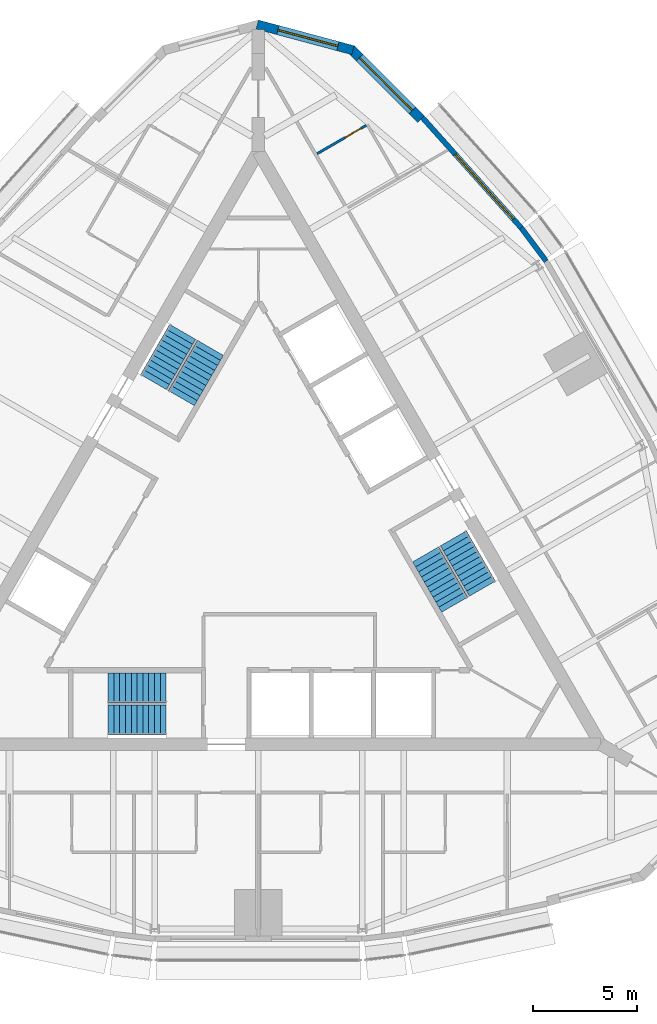
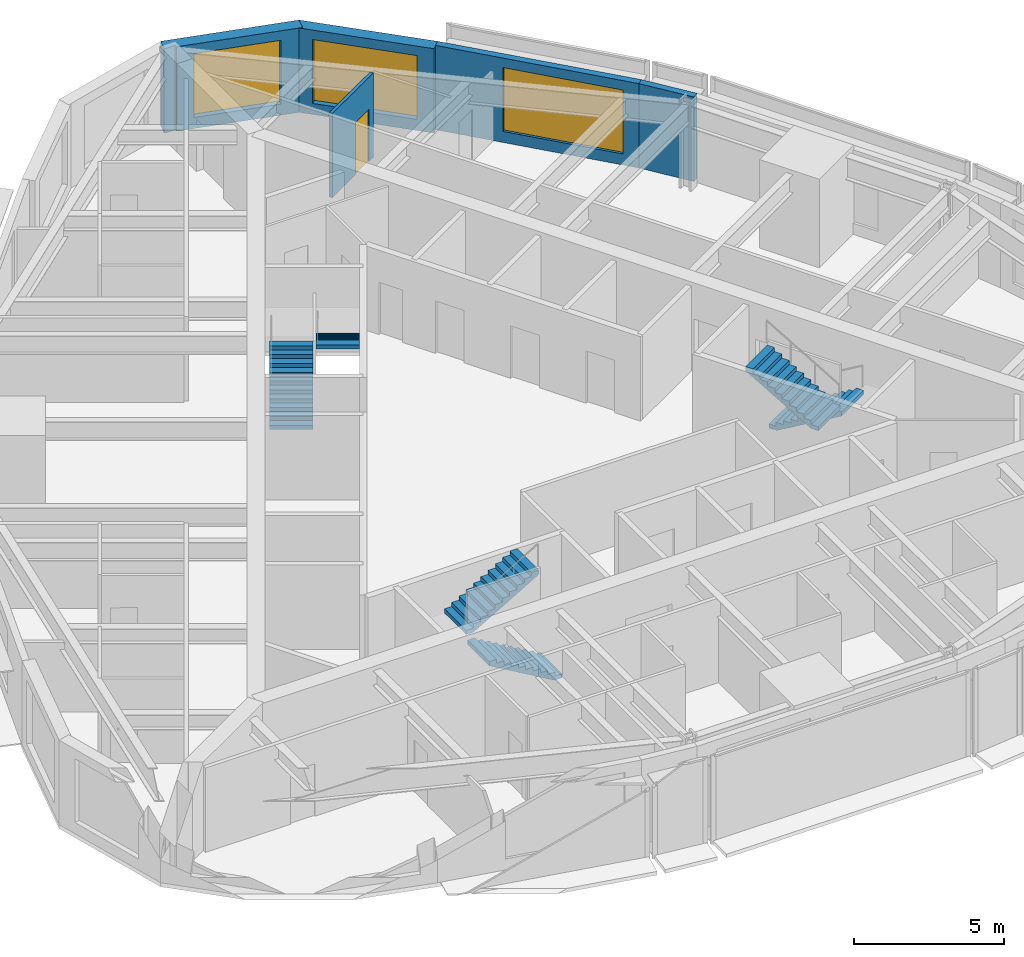
# One storey, part 11 of 12: 6 stair flights, 5 walls, 3 windows, 1 door, 4 openings, 3 elements without a shape of their own.
"""IFC4 building model written with IfcOpenShell, lengths in metres."""

from ifc_helpers import new_model, si_unit, direction, frame, frame_2d, origin, place, context, subcontext, project, spatial, polyline, rectangle, outline, extrude, material, layer, layer_set, type_object, element, fill, aggregate, save


model = new_model("IFC4")

# Units and contexts
model_context = context("Model", 3, precision=1e-05, world=origin(), true_north=direction((0.0, 1.0)))
body_context = subcontext(model_context, "Body", "Model", "MODEL_VIEW")
ifc_project = project(units=[si_unit("LENGTHUNIT", "METRE"), si_unit("AREAUNIT", "SQUARE_METRE"), si_unit("VOLUMEUNIT", "CUBIC_METRE"), si_unit("PLANEANGLEUNIT", "RADIAN"), si_unit("MASSUNIT", "GRAM", prefix="KILO")], contexts=[model_context])

# Site, building, storey
site_placement = place(None, origin())
site = spatial("IfcSite", under=ifc_project, at=site_placement, CompositionType="ELEMENT")
building_placement = place(site_placement, origin())
building = spatial("IfcBuilding", under=site, at=building_placement, Name="Trikona Tower", CompositionType="ELEMENT")
storey_placement = place(building_placement, frame((0.0, 0.0, 260.89990234375)))
storey = spatial("IfcBuildingStorey", under=building, at=storey_placement, Name="L69", CompositionType="ELEMENT", Elevation=260.89990234375)

# Wall, opening, door
ifc_material_1 = material(Name="Metal stud and cement board", Category="gypsum")
ifc_layer_1 = layer(ifc_material_1, 0.1201171875)
ifc_layer_set_1 = layer_set([ifc_layer_1], Name="Bathroom wall 120")
wall_type_1 = type_object("IfcWallType", Name="Bathroom wall 120", PredefinedType="PLUMBINGWALL", material=ifc_layer_set_1)
wall_1_placement = place(storey_placement, frame((2.82861328125, 18.95361328125, 0.0), z_axis=(0.0, 0.0, 1.0), x_axis=(0.866035715982, 0.499982138324, 0.0)))
wall_1 = element("IfcWall", 1, at=wall_1_placement, inside=storey, type_object=wall_type_1, Name="Bathroom wall 6905.2", PredefinedType="PLUMBINGWALL", context=body_context, shape_type="SweptSolid", body=[
    extrude(rectangle(XDim=2.73974609375, YDim=0.1201171875, at=frame_2d((1.369873046875, 0.0))), origin(), (0.0, 0.0, 1.0), 3.43505859375),
])
opening_1_placement = place(wall_1_placement, frame((1.550048828125, 0.0, 0.0)))
opening_1 = element("IfcOpeningElement", 2, at=opening_1_placement, cuts=wall_1, Name="Opening D2", PredefinedType="OPENING", context=body_context, shape_type="SweptSolid", body=[
    extrude(rectangle(XDim=0.89990234375, YDim=2.1298828125, at=frame_2d((0.449951171875, 1.06494140625))), frame((0.0, 0.070068359375, 0.0), z_axis=(0.0, -1.0, 0.0), x_axis=(1.0, 0.0, 0.0)), (0.0, 0.0, 1.0), 0.14013671875),
])
ifc_material_2 = material(Name="Steel door frame with solid-core timber leaf", Category="steel")
door_type = type_object("IfcDoorType", Name="Bathroom door 900x2130", OperationType="SLIDING_TO_LEFT", PredefinedType="DOOR", material=ifc_material_2)
door_placement = place(opening_1_placement, origin())
door = element("IfcDoor", 3, at=door_placement, inside=storey, type_object=door_type, Name="Bathroom door 6905.2", OperationType="SLIDING_TO_LEFT", OverallHeight=2.1298828125, OverallWidth=0.89990234375, PredefinedType="DOOR", context=body_context, shape_type="SweptSolid", body=[
    extrude(rectangle(XDim=0.89990234375, YDim=2.1298828125, at=frame_2d((0.449951171875, 1.06494140625))), frame((0.0, 0.02490234375, 0.0), z_axis=(0.0, -1.0, 0.0), x_axis=(1.0, 0.0, 0.0)), (0.0, 0.0, 1.0), 0.050048828125),
])
fill(opening_1, door)

# Wall, opening, window
ifc_material_3 = material(Name="Brick-faced precast concrete", Category="masonry")
ifc_layer_2 = layer(ifc_material_3, 0.449951171875)
ifc_layer_set_2 = layer_set([ifc_layer_2], Name="Brick-faced corner wall 450")
wall_type_2 = type_object("IfcWallType", Name="Brick-faced corner wall 450", PredefinedType="SOLIDWALL", material=ifc_layer_set_2)
wall_2_placement = place(storey_placement, frame((7.8408203125, 20.62548828125, 0.0), z_axis=(0.0, 0.0, 1.0), x_axis=(-0.707106781187, 0.707106781187, 0.0)))
wall_2 = element("IfcWall", 4, at=wall_2_placement, inside=storey, type_object=wall_type_2, Name="External wall L69-14", PredefinedType="SOLIDWALL", context=body_context, shape_type="SweptSolid", body=[
    extrude(rectangle(XDim=4.781494140625, YDim=0.449951171875, at=frame_2d((2.390625, 0.0))), origin(), (0.0, 0.0, 1.0), 3.43505859375),
])
opening_2_placement = place(wall_2_placement, frame((0.5908203125, 0.0, 0.449951171875)))
opening_2 = element("IfcOpeningElement", 5, at=opening_2_placement, cuts=wall_2, Name="Opening W3626", PredefinedType="OPENING", context=body_context, shape_type="SweptSolid", body=[
    extrude(rectangle(XDim=3.60009765625, YDim=2.60009765625, at=frame_2d((1.800048828125, 1.300048828125))), frame((0.0, 0.23486328125, 0.0), z_axis=(0.0, -1.0, 0.0), x_axis=(1.0, 0.0, 0.0)), (0.0, 0.0, 1.0), 0.469970703125),
])
ifc_material_4 = material(Name="Aluminium-framed double glazing", Category="aluminium")
window_type_1 = type_object("IfcWindowType", Name="Window 3600x2600", PartitioningType="SINGLE_PANEL", PredefinedType="WINDOW", material=ifc_material_4)
window_1_placement = place(opening_2_placement, origin())
window_1 = element("IfcWindow", 6, at=window_1_placement, inside=storey, type_object=window_type_1, Name="Window 6905.2", OverallHeight=2.60009765625, OverallWidth=3.60009765625, PartitioningType="SINGLE_PANEL", PredefinedType="WINDOW", context=body_context, shape_type="SweptSolid", body=[
    extrude(rectangle(XDim=3.60009765625, YDim=2.60009765625, at=frame_2d((1.800048828125, 1.300048828125))), frame((0.0, 0.030029296875, 0.0), z_axis=(0.0, -1.0, 0.0), x_axis=(1.0, 0.0, 0.0)), (0.0, 0.0, 1.0), 0.06005859375),
])
fill(opening_2, window_1)

wall_3_placement = place(storey_placement, frame((4.560546875, 23.948486328125, 0.0), z_axis=(0.0, 0.0, 1.0), x_axis=(-0.965926628191, 0.258816052347, 0.0)))
wall_3 = element("IfcWall", 7, at=wall_3_placement, inside=storey, type_object=wall_type_2, Name="External wall L69-15", PredefinedType="SOLIDWALL", context=body_context, shape_type="SweptSolid", body=[
    extrude(outline(polyline([(4.781494140625, 0.22509765625), (4.722412109375, 0.22509765625), (4.37548828125, 0.132080078125), (4.3505859375, 0.22509765625), (0.0, 0.22509765625), (0.0, -0.22509765625), (4.781494140625, -0.22509765625), (4.781494140625, 0.22509765625)])), origin(), (0.0, 0.0, 1.0), 3.43505859375),
])
opening_3_placement = place(wall_3_placement, frame((0.750244140625, 0.0, 0.449951171875)))
opening_3 = element("IfcOpeningElement", 8, at=opening_3_placement, cuts=wall_3, Name="Opening W3026", PredefinedType="OPENING", context=body_context, shape_type="SweptSolid", body=[
    extrude(rectangle(XDim=3.0, YDim=2.60009765625, at=frame_2d((1.5, 1.300048828125))), frame((0.0, 0.23486328125, 0.0), z_axis=(0.0, -1.0, 0.0), x_axis=(1.0, 0.0, 0.0)), (0.0, 0.0, 1.0), 0.469970703125),
])
ifc_material_5 = material(Name="Aluminium-framed double glazing", Category="aluminium")
window_type_2 = type_object("IfcWindowType", Name="Window 3000x2600", PartitioningType="SINGLE_PANEL", PredefinedType="WINDOW", material=ifc_material_5)
window_2_placement = place(opening_3_placement, origin())
window_2 = element("IfcWindow", 9, at=window_2_placement, inside=storey, type_object=window_type_2, Name="Window 6905.2", OverallHeight=2.60009765625, OverallWidth=3.0, PartitioningType="SINGLE_PANEL", PredefinedType="WINDOW", context=body_context, shape_type="SweptSolid", body=[
    extrude(rectangle(XDim=3.0, YDim=2.60009765625, at=frame_2d((1.5, 1.300048828125))), frame((0.0, 0.030029296875, 0.0), z_axis=(0.0, -1.0, 0.0), x_axis=(1.0, 0.0, 0.0)), (0.0, 0.0, 1.0), 0.06005859375),
])
fill(opening_3, window_2)

# Wall
ifc_material_6 = material(Name="Insulated precast concrete spandrel panel", Category="concrete")
ifc_layer_3 = layer(ifc_material_6, 0.25)
ifc_layer_set_3 = layer_set([ifc_layer_3], Name="Inner skin wall 250")
wall_type_3 = type_object("IfcWallType", Name="Inner skin wall 250", PredefinedType="STANDARD", material=ifc_layer_set_3)
wall_4_placement = place(storey_placement, frame((13.880859375, 13.7705078125, 0.0), z_axis=(0.0, 0.0, 1.0), x_axis=(-0.599650843534, 0.800261748335, 0.0)))
element("IfcWall", 10, at=wall_4_placement, inside=storey, type_object=wall_type_3, Name="External wall L69-12", PredefinedType="STANDARD", context=body_context, shape_type="SweptSolid", body=[
    extrude(rectangle(XDim=2.01416015625, YDim=0.25, at=frame_2d((1.007080078125, 0.0))), origin(), (0.0, 0.0, 1.0), 3.43505859375),
])

# Wall, opening, window
wall_5_placement = place(storey_placement, frame((12.679931640625, 15.3740234375, 0.0), z_axis=(0.0, 0.0, 1.0), x_axis=(-0.667303550892, 0.744785855778, 0.0)))
wall_5 = element("IfcWall", 11, at=wall_5_placement, inside=storey, type_object=wall_type_3, Name="External wall L69-13", PredefinedType="STANDARD", context=body_context, shape_type="SweptSolid", body=[
    extrude(rectangle(XDim=7.152587890625, YDim=0.25, at=frame_2d((3.576171875, 0.0))), origin(), (0.0, 0.0, 1.0), 3.43505859375),
])
opening_4_placement = place(wall_5_placement, frame((0.576904296875, 0.0, 0.449951171875)))
opening_4 = element("IfcOpeningElement", 12, at=opening_4_placement, cuts=wall_5, Name="Opening W4226", PredefinedType="OPENING", context=body_context, shape_type="SweptSolid", body=[
    extrude(rectangle(XDim=4.199951171875, YDim=2.60009765625, at=frame_2d((2.10009765625, 1.300048828125))), frame((0.0, 0.135009765625, 0.0), z_axis=(0.0, -1.0, 0.0), x_axis=(1.0, 0.0, 0.0)), (0.0, 0.0, 1.0), 0.27001953125),
])
ifc_material_7 = material(Name="Aluminium-framed double glazing", Category="aluminium")
window_type_3 = type_object("IfcWindowType", Name="Window 4200x2600", PartitioningType="SINGLE_PANEL", PredefinedType="WINDOW", material=ifc_material_7)
window_3_placement = place(opening_4_placement, origin())
window_3 = element("IfcWindow", 13, at=window_3_placement, inside=storey, type_object=window_type_3, Name="Window 6905.3", OverallHeight=2.60009765625, OverallWidth=4.199951171875, PartitioningType="SINGLE_PANEL", PredefinedType="WINDOW", context=body_context, shape_type="SweptSolid", body=[
    extrude(rectangle(XDim=4.199951171875, YDim=2.60009765625, at=frame_2d((2.10009765625, 1.300048828125))), frame((0.0, 0.030029296875, 0.0), z_axis=(0.0, -1.0, 0.0), x_axis=(1.0, 0.0, 0.0)), (0.0, 0.0, 1.0), 0.06005859375),
])
fill(opening_4, window_3)

# Stair, stair flights
ifc_material_8 = material(Name="Concrete f'c 5000 psi", Category="concrete")
stair_type = type_object("IfcStairType", Name="Core stair", PredefinedType="HALF_TURN_STAIR", material=ifc_material_8)
stair_1_placement = place(storey_placement, origin())
stair_1 = element("IfcStair", 14, at=stair_1_placement, inside=storey, type_object=stair_type, Name="Stair A L69", PredefinedType="HALF_TURN_STAIR")
ifc_material_9 = material(Name="Concrete f'c 5000 psi", Category="concrete")
stair_flight_type = type_object("IfcStairFlightType", Name="Core stair flight 1450", PredefinedType="STRAIGHT", material=ifc_material_9)
stair_flight_1_placement = place(storey_placement, frame((-4.449951171875, -8.351318359375, 0.0), z_axis=(0.0, 0.0, 1.0), x_axis=(-1.0, 0.0, 0.0)))
stair_flight_1 = element("IfcStairFlight", 15, at=stair_flight_1_placement, type_object=stair_flight_type, Name="ST-A flight 1", NumberOfRisers=11, NumberOfTreads=10, PredefinedType="STRAIGHT", RiserHeight=0.163636, TreadLength=0.28, context=body_context, shape_type="SweptSolid", body=[
    extrude(outline(polyline([(0.0, 0.0), (0.0, 0.16357421875), (0.280029296875, 0.16357421875), (0.280029296875, 0.327392578125), (0.56005859375, 0.327392578125), (0.56005859375, 0.490966796875), (0.840087890625, 0.490966796875), (0.840087890625, 0.654541015625), (1.1201171875, 0.654541015625), (1.1201171875, 0.818115234375), (1.39990234375, 0.818115234375), (1.39990234375, 0.98193359375), (1.679931640625, 0.98193359375), (1.679931640625, 1.1455078125), (1.9599609375, 1.1455078125), (1.9599609375, 1.30908203125), (2.239990234375, 1.30908203125), (2.239990234375, 1.47265625), (2.52001953125, 1.47265625), (2.52001953125, 1.636474609375), (2.800048828125, 1.636474609375), (2.800048828125, 1.800048828125), (2.800048828125, 1.462646484375), (0.297119140625, 0.0), (0.0, 0.0)])), frame((0.0, 0.72509765625, 0.0), z_axis=(0.0, -1.0, 0.0), x_axis=(1.0, 0.0, 0.0)), (0.0, 0.0, 1.0), 1.449951171875),
])
stair_flight_2_placement = place(storey_placement, frame((-7.25, -6.80126953125, 1.800048828125), z_axis=(0.0, 0.0, 1.0), x_axis=(1.0, 0.0, 0.0)))
stair_flight_2 = element("IfcStairFlight", 16, at=stair_flight_2_placement, type_object=stair_flight_type, Name="ST-A flight 2", NumberOfRisers=11, NumberOfTreads=10, PredefinedType="STRAIGHT", RiserHeight=0.163636, TreadLength=0.28, context=body_context, shape_type="SweptSolid", body=[
    extrude(outline(polyline([(0.0, 0.0), (0.0, 0.16357421875), (0.280029296875, 0.16357421875), (0.280029296875, 0.327392578125), (0.56005859375, 0.327392578125), (0.56005859375, 0.490966796875), (0.840087890625, 0.490966796875), (0.840087890625, 0.654541015625), (1.1201171875, 0.654541015625), (1.1201171875, 0.818115234375), (1.39990234375, 0.818115234375), (1.39990234375, 0.98193359375), (1.679931640625, 0.98193359375), (1.679931640625, 1.1455078125), (1.9599609375, 1.1455078125), (1.9599609375, 1.30908203125), (2.239990234375, 1.30908203125), (2.239990234375, 1.47265625), (2.52001953125, 1.47265625), (2.52001953125, 1.636474609375), (2.800048828125, 1.636474609375), (2.800048828125, 1.800048828125), (2.800048828125, 1.462646484375), (0.297119140625, 0.0), (0.0, 0.0)])), frame((0.0, 0.72509765625, 0.0), z_axis=(0.0, -1.0, 0.0), x_axis=(1.0, 0.0, 0.0)), (0.0, 0.0, 1.0), 1.449951171875),
])
aggregate(stair_1, [stair_flight_1, stair_flight_2])

stair_2_placement = place(storey_placement, origin())
stair_2 = element("IfcStair", 17, at=stair_2_placement, inside=storey, type_object=stair_type, Name="Stair B L69", PredefinedType="HALF_TURN_STAIR")
stair_flight_3_placement = place(storey_placement, frame((9.407470703125, 0.408447265625, 0.0), z_axis=(0.0, 0.0, 1.0), x_axis=(0.5, -0.866025403784, 0.0)))
stair_flight_3 = element("IfcStairFlight", 18, at=stair_flight_3_placement, type_object=stair_flight_type, Name="ST-B flight 1", NumberOfRisers=11, NumberOfTreads=10, PredefinedType="STRAIGHT", RiserHeight=0.163636, TreadLength=0.28, context=body_context, shape_type="SweptSolid", body=[
    extrude(outline(polyline([(0.0, 0.0), (0.0, 0.16357421875), (0.280029296875, 0.16357421875), (0.280029296875, 0.327392578125), (0.56005859375, 0.327392578125), (0.56005859375, 0.490966796875), (0.840087890625, 0.490966796875), (0.840087890625, 0.654541015625), (1.1201171875, 0.654541015625), (1.1201171875, 0.818115234375), (1.39990234375, 0.818115234375), (1.39990234375, 0.98193359375), (1.679931640625, 0.98193359375), (1.679931640625, 1.1455078125), (1.9599609375, 1.1455078125), (1.9599609375, 1.30908203125), (2.239990234375, 1.30908203125), (2.239990234375, 1.47265625), (2.52001953125, 1.47265625), (2.52001953125, 1.636474609375), (2.800048828125, 1.636474609375), (2.800048828125, 1.800048828125), (2.800048828125, 1.462646484375), (0.297119140625, 0.0), (0.0, 0.0)])), frame((0.0, 0.72509765625, 0.0), z_axis=(0.0, -1.0, 0.0), x_axis=(1.0, 0.0, 0.0)), (0.0, 0.0, 1.0), 1.449951171875),
])
stair_flight_4_placement = place(storey_placement, frame((9.465087890625, -2.79150390625, 1.800048828125), z_axis=(0.0, 0.0, 1.0), x_axis=(-0.5, 0.866025403784, 0.0)))
stair_flight_4 = element("IfcStairFlight", 19, at=stair_flight_4_placement, type_object=stair_flight_type, Name="ST-B flight 2", NumberOfRisers=11, NumberOfTreads=10, PredefinedType="STRAIGHT", RiserHeight=0.163636, TreadLength=0.28, context=body_context, shape_type="SweptSolid", body=[
    extrude(outline(polyline([(0.0, 0.0), (0.0, 0.16357421875), (0.280029296875, 0.16357421875), (0.280029296875, 0.327392578125), (0.56005859375, 0.327392578125), (0.56005859375, 0.490966796875), (0.840087890625, 0.490966796875), (0.840087890625, 0.654541015625), (1.1201171875, 0.654541015625), (1.1201171875, 0.818115234375), (1.39990234375, 0.818115234375), (1.39990234375, 0.98193359375), (1.679931640625, 0.98193359375), (1.679931640625, 1.1455078125), (1.9599609375, 1.1455078125), (1.9599609375, 1.30908203125), (2.239990234375, 1.30908203125), (2.239990234375, 1.47265625), (2.52001953125, 1.47265625), (2.52001953125, 1.636474609375), (2.800048828125, 1.636474609375), (2.800048828125, 1.800048828125), (2.800048828125, 1.462646484375), (0.297119140625, 0.0), (0.0, 0.0)])), frame((0.0, 0.72509765625, 0.0), z_axis=(0.0, -1.0, 0.0), x_axis=(1.0, 0.0, 0.0)), (0.0, 0.0, 1.0), 1.449951171875),
])
aggregate(stair_2, [stair_flight_3, stair_flight_4])

stair_3_placement = place(storey_placement, origin())
stair_3 = element("IfcStair", 20, at=stair_3_placement, inside=storey, type_object=stair_type, Name="Stair C L69", PredefinedType="HALF_TURN_STAIR")
stair_flight_5_placement = place(storey_placement, frame((-5.057373046875, 7.94287109375, 0.0), z_axis=(0.0, 0.0, 1.0), x_axis=(0.5, 0.866025403784, 0.0)))
stair_flight_5 = element("IfcStairFlight", 21, at=stair_flight_5_placement, type_object=stair_flight_type, Name="ST-C flight 1", NumberOfRisers=11, NumberOfTreads=10, PredefinedType="STRAIGHT", RiserHeight=0.163636, TreadLength=0.28, context=body_context, shape_type="SweptSolid", body=[
    extrude(outline(polyline([(0.0, 0.0), (0.0, 0.16357421875), (0.280029296875, 0.16357421875), (0.280029296875, 0.327392578125), (0.56005859375, 0.327392578125), (0.56005859375, 0.490966796875), (0.840087890625, 0.490966796875), (0.840087890625, 0.654541015625), (1.1201171875, 0.654541015625), (1.1201171875, 0.818115234375), (1.39990234375, 0.818115234375), (1.39990234375, 0.98193359375), (1.679931640625, 0.98193359375), (1.679931640625, 1.1455078125), (1.9599609375, 1.1455078125), (1.9599609375, 1.30908203125), (2.239990234375, 1.30908203125), (2.239990234375, 1.47265625), (2.52001953125, 1.47265625), (2.52001953125, 1.636474609375), (2.800048828125, 1.636474609375), (2.800048828125, 1.800048828125), (2.800048828125, 1.462646484375), (0.297119140625, 0.0), (0.0, 0.0)])), frame((0.0, 0.72509765625, 0.0), z_axis=(0.0, -1.0, 0.0), x_axis=(1.0, 0.0, 0.0)), (0.0, 0.0, 1.0), 1.449951171875),
])
stair_flight_6_placement = place(storey_placement, frame((-2.315185546875, 9.5927734375, 1.800048828125), z_axis=(0.0, 0.0, 1.0), x_axis=(-0.5, -0.866025403784, 0.0)))
stair_flight_6 = element("IfcStairFlight", 22, at=stair_flight_6_placement, type_object=stair_flight_type, Name="ST-C flight 2", NumberOfRisers=11, NumberOfTreads=10, PredefinedType="STRAIGHT", RiserHeight=0.163636, TreadLength=0.28, context=body_context, shape_type="SweptSolid", body=[
    extrude(outline(polyline([(0.0, 0.0), (0.0, 0.16357421875), (0.280029296875, 0.16357421875), (0.280029296875, 0.327392578125), (0.56005859375, 0.327392578125), (0.56005859375, 0.490966796875), (0.840087890625, 0.490966796875), (0.840087890625, 0.654541015625), (1.1201171875, 0.654541015625), (1.1201171875, 0.818115234375), (1.39990234375, 0.818115234375), (1.39990234375, 0.98193359375), (1.679931640625, 0.98193359375), (1.679931640625, 1.1455078125), (1.9599609375, 1.1455078125), (1.9599609375, 1.30908203125), (2.239990234375, 1.30908203125), (2.239990234375, 1.47265625), (2.52001953125, 1.47265625), (2.52001953125, 1.636474609375), (2.800048828125, 1.636474609375), (2.800048828125, 1.800048828125), (2.800048828125, 1.462646484375), (0.297119140625, 0.0), (0.0, 0.0)])), frame((0.0, 0.72509765625, 0.0), z_axis=(0.0, -1.0, 0.0), x_axis=(1.0, 0.0, 0.0)), (0.0, 0.0, 1.0), 1.449951171875),
])
aggregate(stair_3, [stair_flight_5, stair_flight_6])

save(model, "model.ifc")
